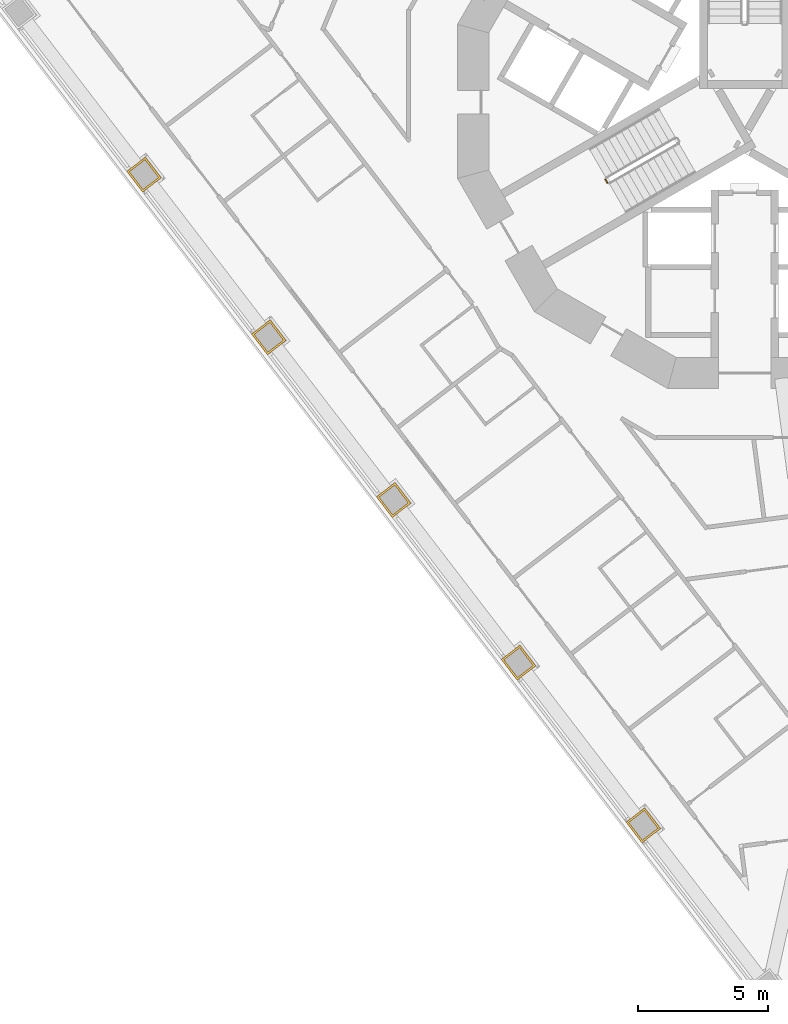
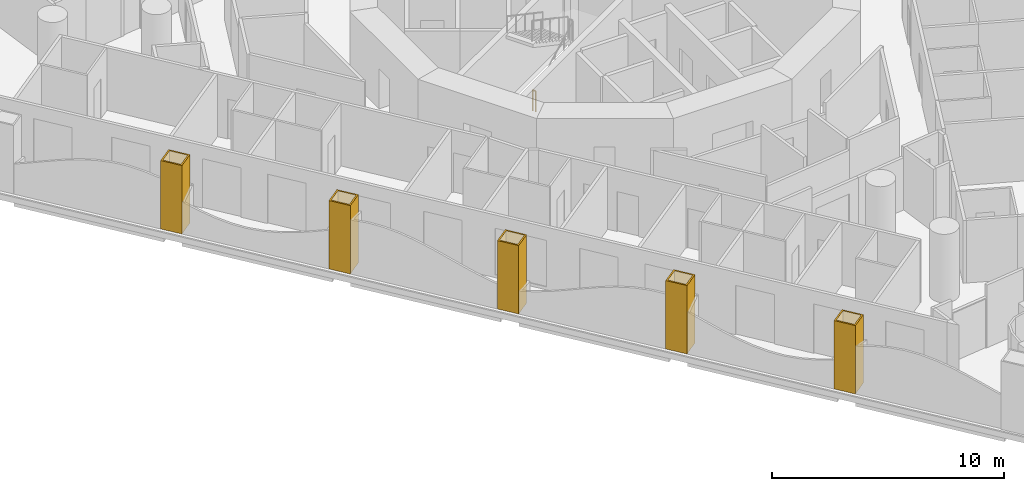
# One storey, part 12 of 19: 5 coverings, 1 railing.
"""IFC4 building model written with IfcOpenShell, lengths in metres."""

from ifc_helpers import new_model, si_unit, direction, frame, origin, origin_2d, place, context, subcontext, project, spatial, polyline, circle, outline, extrude, material, layer, layer_set, type_object, element, save


model = new_model("IFC4")

# Units and contexts
model_context = context("Model", 3, precision=1e-05, world=origin(), true_north=direction((0.0, 1.0)))
body_context = subcontext(model_context, "Body", "Model", "MODEL_VIEW")
ifc_project = project(units=[si_unit("LENGTHUNIT", "METRE"), si_unit("AREAUNIT", "SQUARE_METRE"), si_unit("VOLUMEUNIT", "CUBIC_METRE"), si_unit("PLANEANGLEUNIT", "RADIAN"), si_unit("MASSUNIT", "GRAM", prefix="KILO")], contexts=[model_context])

# Site, building, storey
site_placement = place(None, origin())
site = spatial("IfcSite", under=ifc_project, at=site_placement, CompositionType="ELEMENT")
building_placement = place(site_placement, origin())
building = spatial("IfcBuilding", under=site, at=building_placement, Name="Trine Commons Tower", CompositionType="ELEMENT")
storey_placement = place(building_placement, frame((0.0, 0.0, 75.60009765625)))
storey = spatial("IfcBuildingStorey", under=building, at=storey_placement, Name="L18", CompositionType="ELEMENT", Elevation=75.60009765625)

# Coverings
ifc_material_1 = material(Name="Limestone, honed", Category="masonry")
ifc_layer = layer(ifc_material_1, 0.074951171875)
ifc_layer_set = layer_set([ifc_layer], Name="Limestone, honed")
covering_type = type_object("IfcCoveringType", Name="Limestone column cladding 75", PredefinedType="CLADDING", material=ifc_layer_set)
covering_1_placement = place(storey_placement, origin())
element("IfcCovering", 1, at=covering_1_placement, inside=storey, type_object=covering_type, Name="Limestone pier cladding 2-02", PredefinedType="CLADDING", context=body_context, shape_type="SweptSolid", body=[
    extrude(outline(polyline([(76.1669921875, 35.419189453125), (75.452880859375, 34.87109375), (76.061767578125, 34.077880859375), (76.775634765625, 34.625732421875), (76.1669921875, 35.419189453125)]), holes=[polyline([(76.153076171875, 35.31396484375), (75.55810546875, 34.857421875), (76.075439453125, 34.18310546875), (76.67041015625, 34.6396484375), (76.153076171875, 35.31396484375)])]), origin(), (0.0, 0.0, 1.0), 3.599853515625),
])
covering_2_placement = place(storey_placement, origin())
element("IfcCovering", 2, at=covering_2_placement, inside=storey, type_object=covering_type, Name="Limestone pier cladding 2-03", PredefinedType="CLADDING", context=body_context, shape_type="SweptSolid", body=[
    extrude(outline(polyline([(71.381591796875, 41.6552734375), (70.667724609375, 41.107421875), (71.276611328125, 40.314208984375), (71.990478515625, 40.862060546875), (71.381591796875, 41.6552734375)]), holes=[polyline([(71.367919921875, 41.55029296875), (70.77294921875, 41.093505859375), (71.290283203125, 40.419189453125), (71.88525390625, 40.875732421875), (71.367919921875, 41.55029296875)])]), origin(), (0.0, 0.0, 1.0), 3.599853515625),
])
covering_3_placement = place(storey_placement, origin())
element("IfcCovering", 3, at=covering_3_placement, inside=storey, type_object=covering_type, Name="Limestone pier cladding 2-04", PredefinedType="CLADDING", context=body_context, shape_type="SweptSolid", body=[
    extrude(outline(polyline([(66.5966796875, 47.891357421875), (65.882568359375, 47.343505859375), (66.491455078125, 46.55029296875), (67.205322265625, 47.09814453125), (66.5966796875, 47.891357421875)]), holes=[polyline([(66.582763671875, 47.786376953125), (65.98779296875, 47.32958984375), (66.505126953125, 46.6552734375), (67.10009765625, 47.11181640625), (66.582763671875, 47.786376953125)])]), origin(), (0.0, 0.0, 1.0), 3.599853515625),
])
covering_4_placement = place(storey_placement, origin())
element("IfcCovering", 4, at=covering_4_placement, inside=storey, type_object=covering_type, Name="Limestone pier cladding 2-05", PredefinedType="CLADDING", context=body_context, shape_type="SweptSolid", body=[
    extrude(outline(polyline([(61.811279296875, 54.127685546875), (61.097412109375, 53.57958984375), (61.706298828125, 52.786376953125), (62.420166015625, 53.334228515625), (61.811279296875, 54.127685546875)]), holes=[polyline([(61.797607421875, 54.0224609375), (61.20263671875, 53.56591796875), (61.719970703125, 52.8916015625), (62.31494140625, 53.34814453125), (61.797607421875, 54.0224609375)])]), origin(), (0.0, 0.0, 1.0), 3.599853515625),
])
covering_5_placement = place(storey_placement, origin())
element("IfcCovering", 5, at=covering_5_placement, inside=storey, type_object=covering_type, Name="Limestone pier cladding 2-06", PredefinedType="CLADDING", context=body_context, shape_type="SweptSolid", body=[
    extrude(outline(polyline([(57.026123046875, 60.36376953125), (56.312255859375, 59.81591796875), (56.9208984375, 59.022705078125), (57.635009765625, 59.570556640625), (57.026123046875, 60.36376953125)]), holes=[polyline([(57.012451171875, 60.2587890625), (56.41748046875, 59.802001953125), (56.934814453125, 59.127685546875), (57.52978515625, 59.584228515625), (57.012451171875, 60.2587890625)])]), origin(), (0.0, 0.0, 1.0), 3.599853515625),
])

# Railing
ifc_material_2 = material(Name="Stainless steel balustrade", Category="steel")
railing_type = type_object("IfcRailingType", Name="Stair guard, steel balustrade 1100", PredefinedType="GUARDRAIL", material=ifc_material_2)
railing_placement = place(storey_placement, frame((74.73681640625, 59.374755859375, 0.0)))
element("IfcRailing", 6, at=railing_placement, inside=storey, type_object=railing_type, Name="L18 ST2A stair guard 4", PredefinedType="GUARDRAIL", context=body_context, shape_type="SweptSolid", body=[
    extrude(circle(Radius=0.02392578125, at=origin_2d()), frame((0.0, 0.0, 1.076171875), z_axis=(-0.499816412211, 0.866131372301, 0.0), x_axis=(-0.866131372301, -0.499816412211, 0.0)), (0.0, 0.0, 1.0), 0.14990234375),
    extrude(circle(Radius=0.02099609375, at=origin_2d()), origin(), (0.0, 0.0, 1.0), 1.052001953125),
    extrude(circle(Radius=0.02099609375, at=origin_2d()), frame((-0.074951171875, 0.1298828125, 0.0)), (0.0, 0.0, 1.0), 1.052001953125),
])

save(model, "model.ifc")
